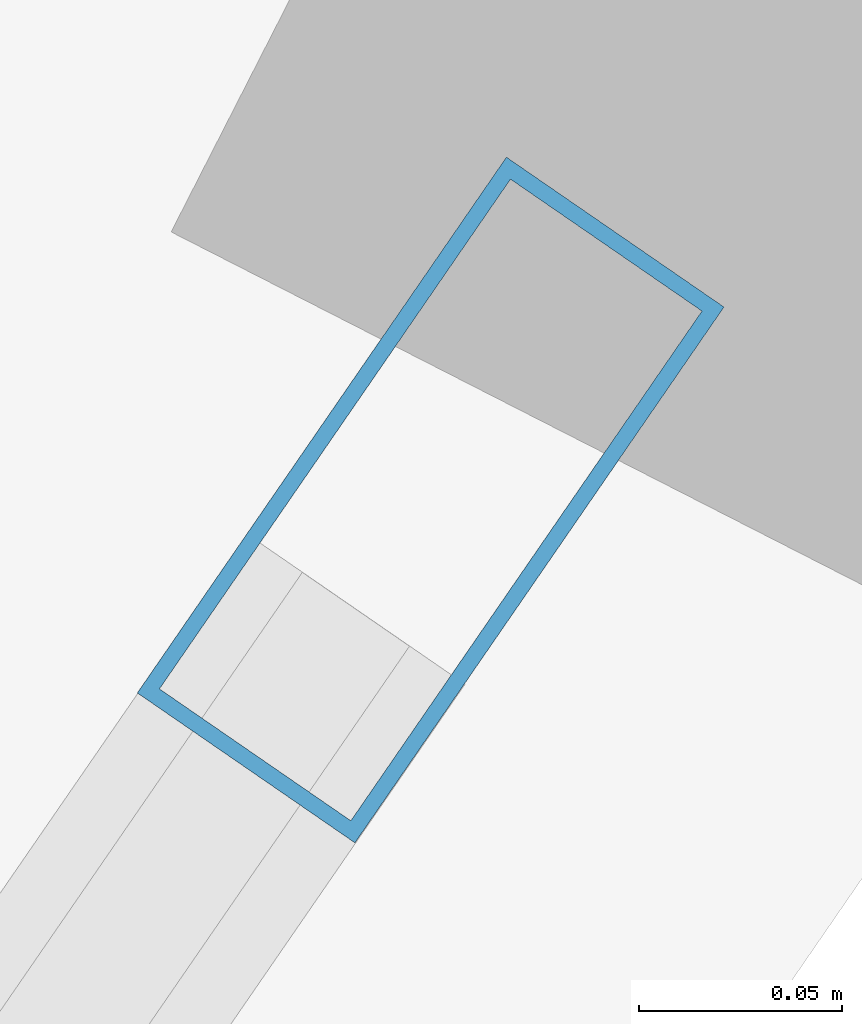
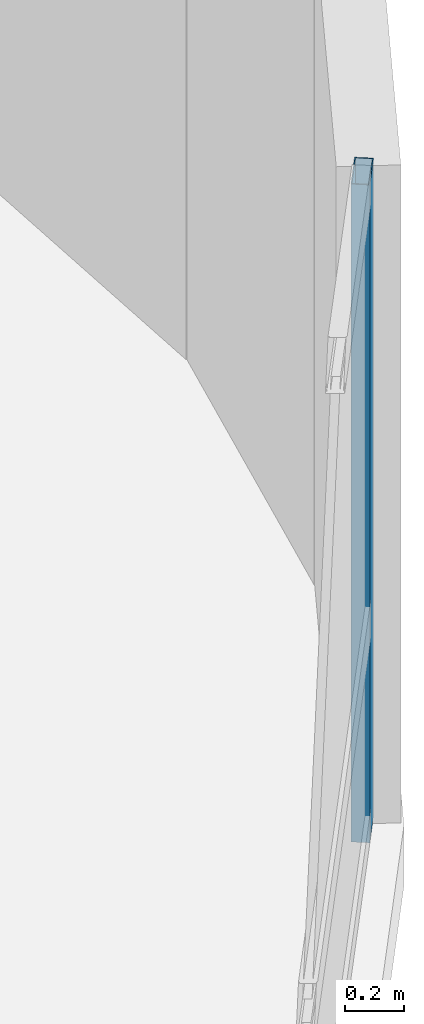
# One storey, part 11 of 25: 1 member, 1 element without a shape of its own.
"""IFC4 building model written with IfcOpenShell, lengths in metres."""

from ifc_helpers import new_model, si_unit, direction, frame, origin, origin_2d, place, context, subcontext, project, spatial, hollow_rectangle, extrude, material, layer, layer_set, material_profile, profile_set, type_object, element, aggregate, save


model = new_model("IFC4")

# Units and contexts
model_context = context("Model", 3, precision=1e-05, world=origin(), true_north=direction((0.0, 1.0)))
body_context = subcontext(model_context, "Body", "Model", "MODEL_VIEW")
ifc_project = project(units=[si_unit("LENGTHUNIT", "METRE"), si_unit("AREAUNIT", "SQUARE_METRE"), si_unit("VOLUMEUNIT", "CUBIC_METRE"), si_unit("PLANEANGLEUNIT", "RADIAN"), si_unit("MASSUNIT", "GRAM", prefix="KILO")], contexts=[model_context])

# Site, building, storey
site_placement = place(None, origin())
site = spatial("IfcSite", under=ifc_project, at=site_placement, CompositionType="ELEMENT")
building_placement = place(site_placement, origin())
building = spatial("IfcBuilding", under=site, at=building_placement, Name="Varnelok Gate Tower", CompositionType="ELEMENT")
storey_placement = place(building_placement, frame((0.0, 0.0, 52.89990234375)))
storey = spatial("IfcBuildingStorey", under=building, at=storey_placement, Name="L12", CompositionType="ELEMENT", Elevation=52.89990234375)

# Curtain wall, member
ifc_material = material(Name="Anodized Aluminum Alloy 6063-T6", Category="aluminium")
ifc_layer = layer(ifc_material, 0.179931640625)
ifc_layer_set = layer_set([ifc_layer], Name="Anodized Aluminum Alloy 6063-T6")
curtain_wall_type = type_object("IfcCurtainWallType", Name="CW3-HOTEL-VISION", PredefinedType="USERDEFINED", material=ifc_layer_set)
curtain_wall_placement = place(storey_placement, origin())
curtain_wall = element("IfcCurtainWall", 1, at=curtain_wall_placement, inside=storey, type_object=curtain_wall_type, Name="L12 East End Vision Curtain Wall", ObjectType="UNITISED CURTAIN WALL", PredefinedType="USERDEFINED")
ifc_material_profile = material_profile(ifc_material, hollow_rectangle(XDim=0.06494140625, YDim=0.159912109375, WallThickness=0.00390625, at=origin_2d()), Name="ALU160X65X4")
ifc_profile_set = profile_set([ifc_material_profile], Name="Anodized Aluminum Alloy 6063-T6")
member_type = type_object("IfcMemberType", Name="CW-MULL-160", PredefinedType="MULLION", material=ifc_profile_set)
member_placement = place(storey_placement, frame((82.52392578125, 19.33935546875, 0.0), z_axis=(0.0, 0.0, 1.0), x_axis=(0.823532685111, -0.567268822124, 0.0)))
member = element("IfcMember", 2, at=member_placement, type_object=member_type, Name="CW3 mullion 1", PredefinedType="MULLION", context=body_context, shape_type="SweptSolid", body=[
    extrude(hollow_rectangle(XDim=0.06494140625, YDim=0.159912109375, WallThickness=0.00390625, at=origin_2d()), origin(), (0.0, 0.0, 1.0), 2.72998046875),
])
aggregate(curtain_wall, [member])

save(model, "model.ifc")
